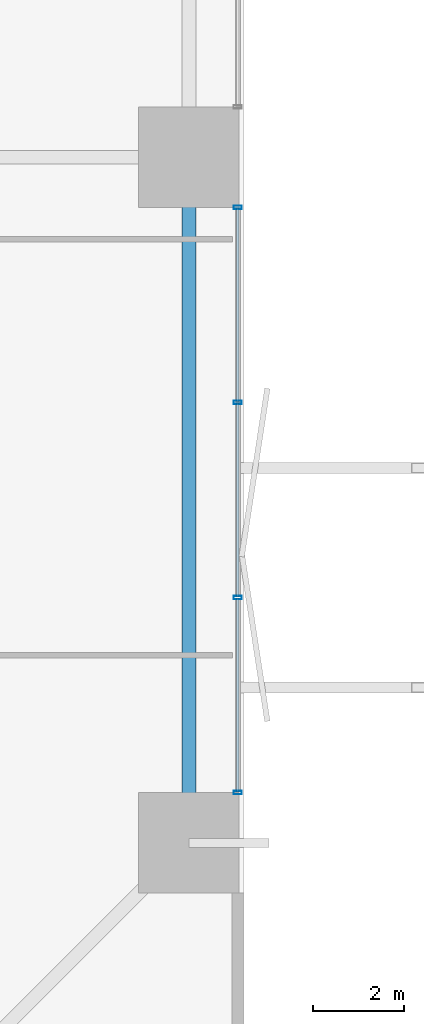
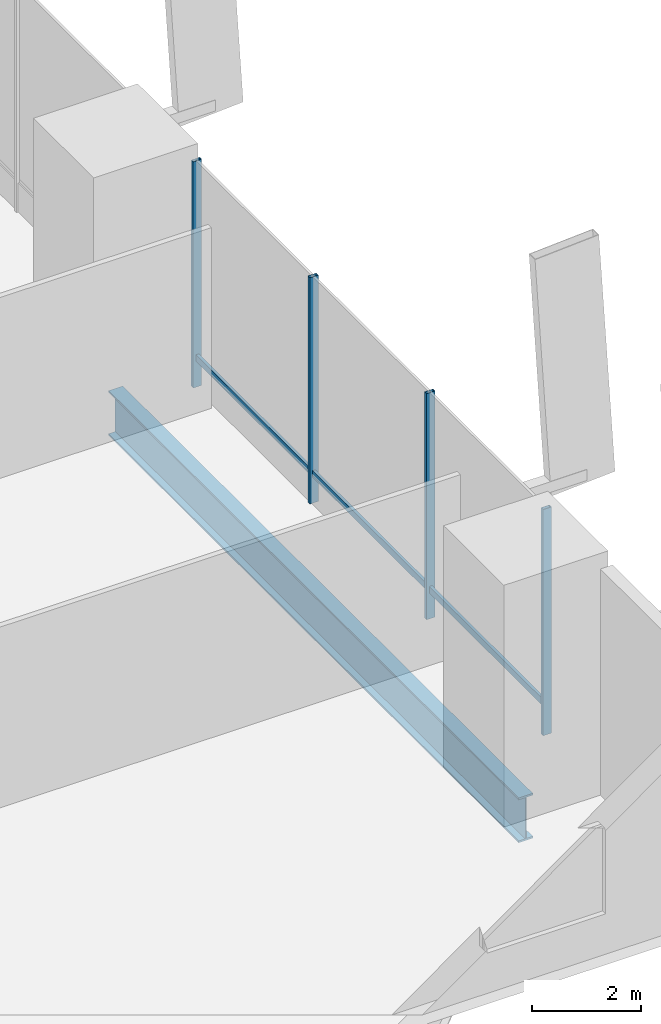
# One storey, part 8 of 24: 7 members, 1 beam, 1 element without a shape of its own.
"""IFC4 building model written with IfcOpenShell, lengths in metres."""

from ifc_helpers import new_model, si_unit, direction, frame, origin, origin_2d, place, context, subcontext, project, spatial, hollow_rectangle, i_section, extrude, material, layer, layer_set, material_profile, profile_set, type_object, element, aggregate, save


model = new_model("IFC4")

# Units and contexts
model_context = context("Model", 3, precision=1e-05, world=origin(), true_north=direction((0.0, 1.0)))
body_context = subcontext(model_context, "Body", "Model", "MODEL_VIEW")
ifc_project = project(units=[si_unit("LENGTHUNIT", "METRE"), si_unit("AREAUNIT", "SQUARE_METRE"), si_unit("VOLUMEUNIT", "CUBIC_METRE"), si_unit("PLANEANGLEUNIT", "RADIAN"), si_unit("MASSUNIT", "GRAM", prefix="KILO")], contexts=[model_context])

# Site, building, storey
site_placement = place(None, origin())
site = spatial("IfcSite", under=ifc_project, at=site_placement, CompositionType="ELEMENT")
building_placement = place(site_placement, origin())
building = spatial("IfcBuilding", under=site, at=building_placement, Name="Belovzor Exchange Tower", CompositionType="ELEMENT")
storey_placement = place(building_placement, frame((0.0, 0.0, 8.39990234375)))
storey = spatial("IfcBuildingStorey", under=building, at=storey_placement, Name="L02", CompositionType="ELEMENT", Elevation=8.39990234375)

# Beam
ifc_material_1 = material(Name="Steel S460", Category="steel")
ifc_material_profile_1 = material_profile(ifc_material_1, i_section(OverallWidth=0.300048828125, OverallDepth=1.0, WebThickness=0.02099609375, FlangeThickness=0.0400390625, at=origin_2d()))
ifc_profile_set_1 = profile_set([ifc_material_profile_1], Name="Steel S460")
beam_type = type_object("IfcBeamType", Name="Podium Exchange Hall Ring Girder HEM 1000", PredefinedType="BEAM", material=ifc_profile_set_1)
beam_placement = place(storey_placement, frame((55.800048828125, 13.800048828125, -0.849853515625), z_axis=(0.0, 1.0, 0.0), x_axis=(-1.0, 0.0, 0.0)))
element("IfcBeam", 1, at=beam_placement, inside=storey, type_object=beam_type, Name="PG-1 Podium Exchange Hall Ring Girder HEM 1000", PredefinedType="BEAM", context=body_context, shape_type="SweptSolid", body=[
    extrude(i_section(OverallWidth=0.300048828125, OverallDepth=1.0, WebThickness=0.02099609375, FlangeThickness=0.0400390625, at=origin_2d()), origin(), (0.0, 0.0, 1.0), 15.0),
])

# Curtain wall, members
ifc_material_2 = material(Name="Anodised Aluminium Framing", Category="aluminium")
ifc_layer = layer(ifc_material_2, 0.219970703125)
ifc_layer_set = layer_set([ifc_layer], Name="Anodised Aluminium Framing")
curtain_wall_type = type_object("IfcCurtainWallType", Name="Podium Clear-Span Exchange Hall Unitised Curtain Wall", PredefinedType="NOTDEFINED", material=ifc_layer_set)
curtain_wall_placement = place(storey_placement, origin())
curtain_wall = element("IfcCurtainWall", 2, at=curtain_wall_placement, inside=storey, type_object=curtain_wall_type, Name="CW1 Podium Clear-Span Exchange Hall Unitised Curtain Wall L02", PredefinedType="NOTDEFINED")
ifc_material_3 = material(Name="Steel S355", Category="steel")
ifc_material_profile_2 = material_profile(ifc_material_3, hollow_rectangle(XDim=0.074951171875, YDim=0.179931640625, WallThickness=0.0048828125, at=origin_2d()))
ifc_profile_set_2 = profile_set([ifc_material_profile_2], Name="Steel S355")
member_type_1 = type_object("IfcMemberType", Name="Thermally Broken Curtain Wall Mullion 180x75", PredefinedType="MULLION", material=ifc_profile_set_2)
member_1_placement = place(storey_placement, frame((56.8701171875, 27.699951171875, 0.0), z_axis=(0.0, 0.0, 1.0), x_axis=(0.0, -1.0, 0.0)))
member_1 = element("IfcMember", 3, at=member_1_placement, type_object=member_type_1, Name="CW-M180 Curtain Wall Mullion 1", PredefinedType="MULLION", context=body_context, shape_type="SweptSolid", body=[
    extrude(hollow_rectangle(XDim=0.074951171875, YDim=0.179931640625, WallThickness=0.0048828125, at=origin_2d()), origin(), (0.0, 0.0, 1.0), 5.050048828125),
])
member_2_placement = place(storey_placement, frame((56.8701171875, 23.43310546875, 0.0), z_axis=(0.0, 0.0, 1.0), x_axis=(0.0, -1.0, 0.0)))
member_2 = element("IfcMember", 4, at=member_2_placement, type_object=member_type_1, Name="CW-M180 Curtain Wall Mullion 2", PredefinedType="MULLION", context=body_context, shape_type="SweptSolid", body=[
    extrude(hollow_rectangle(XDim=0.074951171875, YDim=0.179931640625, WallThickness=0.0048828125, at=origin_2d()), origin(), (0.0, 0.0, 1.0), 5.050048828125),
])
member_3_placement = place(storey_placement, frame((56.8701171875, 19.1669921875, 0.0), z_axis=(0.0, 0.0, 1.0), x_axis=(0.0, -1.0, 0.0)))
member_3 = element("IfcMember", 5, at=member_3_placement, type_object=member_type_1, Name="CW-M180 Curtain Wall Mullion 3", PredefinedType="MULLION", context=body_context, shape_type="SweptSolid", body=[
    extrude(hollow_rectangle(XDim=0.074951171875, YDim=0.179931640625, WallThickness=0.0048828125, at=origin_2d()), origin(), (0.0, 0.0, 1.0), 5.050048828125),
])
member_4_placement = place(storey_placement, frame((56.8701171875, 14.89990234375, 0.0), z_axis=(0.0, 0.0, 1.0), x_axis=(0.0, -1.0, 0.0)))
member_4 = element("IfcMember", 6, at=member_4_placement, type_object=member_type_1, Name="CW-M180 Curtain Wall Mullion 4", PredefinedType="MULLION", context=body_context, shape_type="SweptSolid", body=[
    extrude(hollow_rectangle(XDim=0.074951171875, YDim=0.179931640625, WallThickness=0.0048828125, at=origin_2d()), origin(), (0.0, 0.0, 1.0), 5.050048828125),
])
ifc_material_4 = material(Name="Steel S355", Category="steel")
ifc_material_profile_3 = material_profile(ifc_material_4, hollow_rectangle(XDim=0.06005859375, YDim=0.14990234375, WallThickness=0.00390625, at=origin_2d()))
ifc_profile_set_3 = profile_set([ifc_material_profile_3], Name="Steel S355")
member_type_2 = type_object("IfcMemberType", Name="Thermally Broken Curtain Wall Transom 150x60", PredefinedType="USERDEFINED", material=ifc_profile_set_3)
member_5_placement = place(storey_placement, frame((56.8701171875, 27.69189453125, 0.650146484375), z_axis=(0.0, -1.0, 0.0), x_axis=(1.0, 0.0, 0.0)))
member_5 = element("IfcMember", 7, at=member_5_placement, type_object=member_type_2, Name="CW-T150 Curtain Wall Transom 1", ObjectType="TRANSOM", PredefinedType="USERDEFINED", context=body_context, shape_type="SweptSolid", body=[
    extrude(hollow_rectangle(XDim=0.06005859375, YDim=0.14990234375, WallThickness=0.00390625, at=origin_2d()), origin(), (0.0, 0.0, 1.0), 4.2509765625),
])
member_6_placement = place(storey_placement, frame((56.8701171875, 23.425048828125, 0.650146484375), z_axis=(0.0, -1.0, 0.0), x_axis=(1.0, 0.0, 0.0)))
member_6 = element("IfcMember", 8, at=member_6_placement, type_object=member_type_2, Name="CW-T150 Curtain Wall Transom 2", ObjectType="TRANSOM", PredefinedType="USERDEFINED", context=body_context, shape_type="SweptSolid", body=[
    extrude(hollow_rectangle(XDim=0.06005859375, YDim=0.14990234375, WallThickness=0.00390625, at=origin_2d()), origin(), (0.0, 0.0, 1.0), 4.25),
])
member_7_placement = place(storey_placement, frame((56.8701171875, 19.158935546875, 0.650146484375), z_axis=(0.0, -1.0, 0.0), x_axis=(1.0, 0.0, 0.0)))
member_7 = element("IfcMember", 9, at=member_7_placement, type_object=member_type_2, Name="CW-T150 Curtain Wall Transom 3", ObjectType="TRANSOM", PredefinedType="USERDEFINED", context=body_context, shape_type="SweptSolid", body=[
    extrude(hollow_rectangle(XDim=0.06005859375, YDim=0.14990234375, WallThickness=0.00390625, at=origin_2d()), origin(), (0.0, 0.0, 1.0), 4.2509765625),
])
aggregate(curtain_wall, [member_1, member_2, member_3, member_4, member_5, member_6, member_7])

save(model, "model.ifc")
